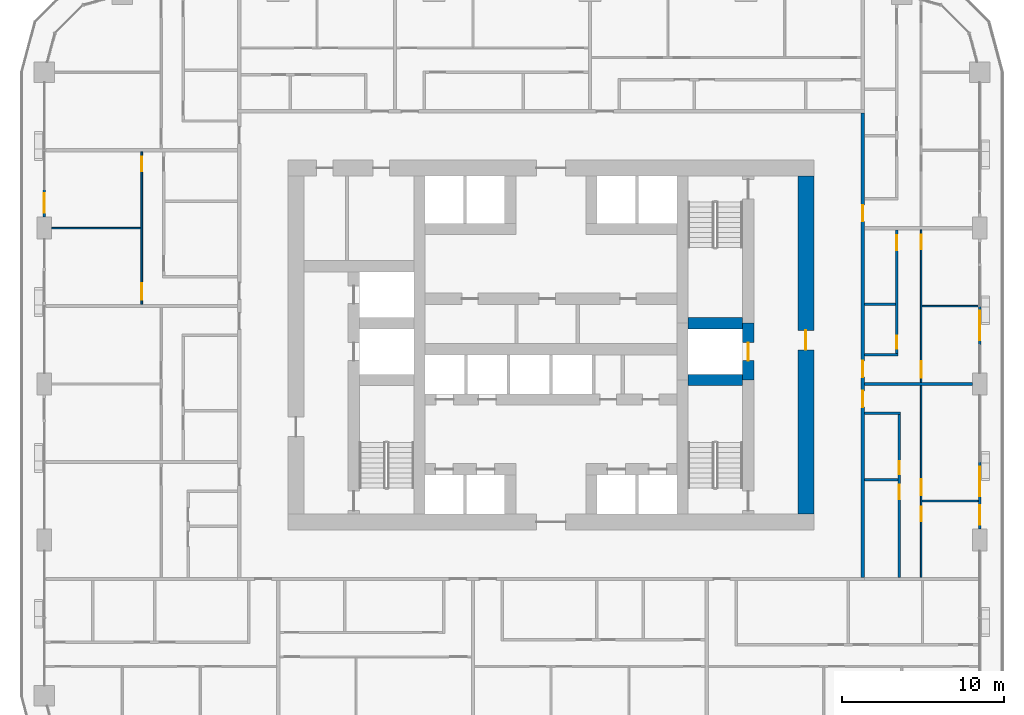
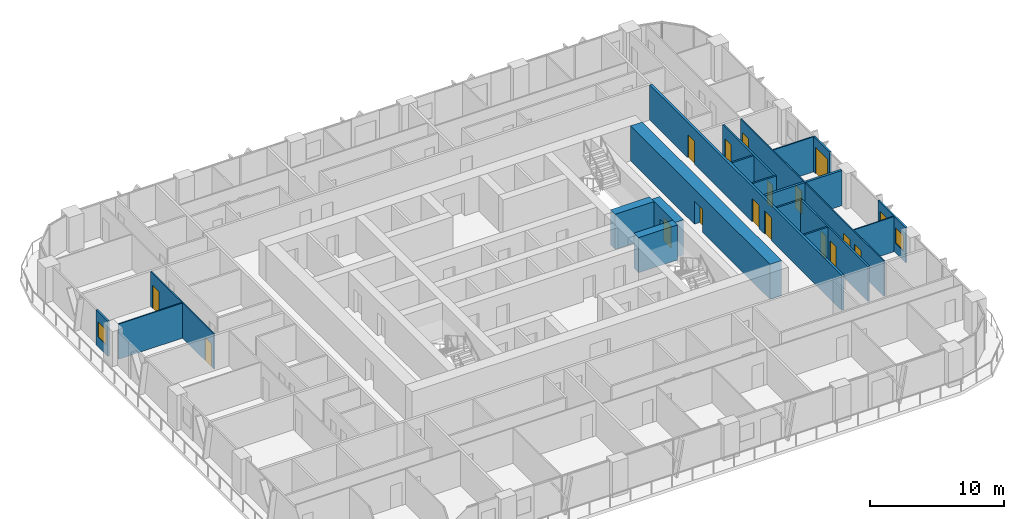
# One storey, part 12 of 21: 21 walls, 17 doors, 2 windows, 19 openings.
"""IFC4 building model written with IfcOpenShell, lengths in metres."""

from ifc_helpers import new_model, si_unit, direction, frame, frame_2d, origin, place, context, subcontext, project, spatial, rectangle, extrude, material, layer, layer_set, type_object, element, fill, save


model = new_model("IFC4")

# Units and contexts
model_context = context("Model", 3, precision=1e-05, world=origin(), true_north=direction((0.0, 1.0)))
body_context = subcontext(model_context, "Body", "Model", "MODEL_VIEW")
ifc_project = project(units=[si_unit("LENGTHUNIT", "METRE"), si_unit("AREAUNIT", "SQUARE_METRE"), si_unit("VOLUMEUNIT", "CUBIC_METRE"), si_unit("PLANEANGLEUNIT", "RADIAN"), si_unit("MASSUNIT", "GRAM", prefix="KILO")], contexts=[model_context])

# Site, building, storey
site_placement = place(None, origin())
site = spatial("IfcSite", under=ifc_project, at=site_placement, CompositionType="ELEMENT")
building_placement = place(site_placement, origin())
building = spatial("IfcBuilding", under=site, at=building_placement, Name="Madar Terraces", CompositionType="ELEMENT")
storey_placement = place(building_placement, frame((0.0, 0.0, 43.39990234375)))
storey = spatial("IfcBuildingStorey", under=building, at=storey_placement, Name="L10", CompositionType="ELEMENT", Elevation=43.39990234375)

# Wall, opening, door
ifc_material_1 = material(Name="Concrete C80/95", Category="concrete")
ifc_layer_1 = layer(ifc_material_1, 0.699951171875)
ifc_layer_set_1 = layer_set([ifc_layer_1], Name="Concrete C80/95 (CIW1 RC wall 700)")
wall_type_1 = type_object("IfcWallType", Name="CIW1 RC wall 700", PredefinedType="SHEAR", material=ifc_layer_set_1)
wall_1_placement = place(storey_placement, frame((43.35009765625, 24.25, 0.0), z_axis=(0.0, 0.0, 1.0), x_axis=(0.0, 1.0, 0.0)))
wall_1 = element("IfcWall", 1, at=wall_1_placement, inside=storey, type_object=wall_type_1, Name="CORE SHAFT WALL", PredefinedType="SHEAR", context=body_context, shape_type="SweptSolid", body=[
    extrude(rectangle(XDim=3.5, YDim=0.699951171875, at=frame_2d((1.75, 0.0))), origin(), (0.0, 0.0, 1.0), 3.2001953125),
])
opening_1_placement = place(wall_1_placement, frame((1.199951171875, 0.0, 0.0)))
opening_1 = element("IfcOpeningElement", 2, at=opening_1_placement, cuts=wall_1, Name="Opening LD", PredefinedType="OPENING", context=body_context, shape_type="SweptSolid", body=[
    extrude(rectangle(XDim=1.10009765625, YDim=2.10009765625, at=frame_2d((0.550048828125, 1.050048828125))), frame((0.0, 0.35986328125, 0.0), z_axis=(0.0, -1.0, 0.0), x_axis=(1.0, 0.0, 0.0)), (0.0, 0.0, 1.0), 0.719970703125),
])
ifc_material_2 = material(Name="Stainless steel panel", Category="steel")
door_type_1 = type_object("IfcDoorType", Name="Lift landing door 1100 x 2100", OperationType="DOUBLE_DOOR_SLIDING", PredefinedType="DOOR", material=ifc_material_2)
door_1_placement = place(opening_1_placement, origin())
door_1 = element("IfcDoor", 3, at=door_1_placement, inside=storey, type_object=door_type_1, Name="LIFT LANDING DOOR", OperationType="DOUBLE_DOOR_SLIDING", OverallHeight=2.10009765625, OverallWidth=1.10009765625, PredefinedType="DOOR", context=body_context, shape_type="SweptSolid", body=[
    extrude(rectangle(XDim=1.10009765625, YDim=2.10009765625, at=frame_2d((0.550048828125, 1.050048828125))), frame((0.0, 0.02490234375, 0.0), z_axis=(0.0, -1.0, 0.0), x_axis=(1.0, 0.0, 0.0)), (0.0, 0.0, 1.0), 0.050048828125),
])
fill(opening_1, door_1)

# Walls
for number, where, z_axis, x_axis, name in (
    (4, (39.64990234375, 24.25, 0.0), (0.0, 0.0, 1.0), (1.0, 0.0, 0.0), "CORE SHAFT WALL"),
    (5, (39.64990234375, 27.75, 0.0), (0.0, 0.0, 1.0), (1.0, 0.0, 0.0), "CORE SHAFT WALL"),
):
    element("IfcWall", number, at=place(storey_placement, frame(where, z_axis=z_axis, x_axis=x_axis)), inside=storey, type_object=wall_type_1, Name=name, PredefinedType="SHEAR", context=body_context, shape_type="SweptSolid", body=[
        extrude(rectangle(XDim=3.35009765625, YDim=0.699951171875, at=frame_2d((1.675048828125, 0.0))), origin(), (0.0, 0.0, 1.0), 3.2001953125),
    ])

# Wall, opening, door
ifc_material_3 = material(Name="Concrete C80/95", Category="concrete")
ifc_layer_2 = layer(ifc_material_3, 1.0)
ifc_layer_set_2 = layer_set([ifc_layer_2], Name="Concrete C80/95 (CRW1 RC wall 1000)")
wall_type_2 = type_object("IfcWallType", Name="CRW1 RC wall 1000", PredefinedType="SHEAR", material=ifc_layer_set_2)
wall_2_placement = place(storey_placement, frame((46.89990234375, 16.0, 0.0), z_axis=(0.0, 0.0, 1.0), x_axis=(0.0, 1.0, 0.0)))
wall_2 = element("IfcWall", 6, at=wall_2_placement, inside=storey, type_object=wall_type_2, Name="CORE OUTER WALL", PredefinedType="SHEAR", context=body_context, shape_type="SweptSolid", body=[
    extrude(rectangle(XDim=20.800048828125, YDim=1.0, at=frame_2d((10.39990234375, 0.0))), origin(), (0.0, 0.0, 1.0), 3.2001953125),
])
opening_2_placement = place(wall_2_placement, frame((10.10009765625, 0.0, 0.0)))
opening_2 = element("IfcOpeningElement", 7, at=opening_2_placement, cuts=wall_2, Name="Opening SD1", PredefinedType="OPENING", context=body_context, shape_type="SweptSolid", body=[
    extrude(rectangle(XDim=1.199951171875, YDim=2.10009765625, at=frame_2d((0.60009765625, 1.050048828125))), frame((0.0, 0.510009765625, 0.0), z_axis=(0.0, -1.0, 0.0), x_axis=(1.0, 0.0, 0.0)), (0.0, 0.0, 1.0), 1.02001953125),
])
ifc_material_4 = material(Name="Steel door leaf", Category="steel")
door_type_2 = type_object("IfcDoorType", Name="Stair door 1200 x 2100", OperationType="NOTDEFINED", PredefinedType="DOOR", material=ifc_material_4)
door_2_placement = place(opening_2_placement, origin())
door_2 = element("IfcDoor", 8, at=door_2_placement, inside=storey, type_object=door_type_2, Name="STAIR DOOR", OperationType="SINGLE_SWING_RIGHT", OverallHeight=2.10009765625, OverallWidth=1.199951171875, PredefinedType="DOOR", context=body_context, shape_type="SweptSolid", body=[
    extrude(rectangle(XDim=1.199951171875, YDim=2.10009765625, at=frame_2d((0.60009765625, 1.050048828125))), frame((0.0, 0.02490234375, 0.0), z_axis=(0.0, -1.0, 0.0), x_axis=(1.0, 0.0, 0.0)), (0.0, 0.0, 1.0), 0.050048828125),
])
fill(opening_2, door_2)

# Wall, openings, door, window
ifc_material_5 = material(Name="Aluminium composite panel, black, over insulated backing", Category="aluminium")
ifc_layer_3 = layer(ifc_material_5, 0.14990234375)
ifc_layer_set_3 = layer_set([ifc_layer_3], Name="Facade bay panel 150")
wall_type_3 = type_object("IfcWallType", Name="Facade bay panel 150", PredefinedType="SOLIDWALL", material=ifc_layer_set_3)
wall_3_placement = place(storey_placement, frame((57.60009765625, 15.074951171875, 0.0), z_axis=(0.0, 0.0, 1.0), x_axis=(0.0, 1.0, 0.0)))
wall_3 = element("IfcWall", 9, at=wall_3_placement, inside=storey, type_object=wall_type_3, Name="Facade bay panel", PredefinedType="SOLIDWALL", context=body_context, shape_type="SweptSolid", body=[
    extrude(rectangle(XDim=4.125, YDim=0.14990234375, at=frame_2d((2.0625, 0.0))), origin(), (0.0, 0.0, 1.0), 3.2001953125),
])
opening_3_placement = place(wall_3_placement, frame((0.262451171875, 0.0, 0.89990234375)))
opening_3 = element("IfcOpeningElement", 10, at=opening_3_placement, cuts=wall_3, Name="Opening W1", PredefinedType="OPENING", context=body_context, shape_type="SweptSolid", body=[
    extrude(rectangle(XDim=1.199951171875, YDim=1.39990234375, at=frame_2d((0.60009765625, 0.699951171875))), frame((0.0, 0.0849609375, 0.0), z_axis=(0.0, -1.0, 0.0), x_axis=(1.0, 0.0, 0.0)), (0.0, 0.0, 1.0), 0.169921875),
])
opening_4_placement = place(wall_3_placement, frame((2.02490234375, 0.0, 0.0)))
opening_4 = element("IfcOpeningElement", 11, at=opening_4_placement, cuts=wall_3, Name="Opening ED1", PredefinedType="OPENING", context=body_context, shape_type="SweptSolid", body=[
    extrude(rectangle(XDim=1.800048828125, YDim=2.39990234375, at=frame_2d((0.89990234375, 1.199951171875))), frame((0.0, 0.0849609375, 0.0), z_axis=(0.0, -1.0, 0.0), x_axis=(1.0, 0.0, 0.0)), (0.0, 0.0, 1.0), 0.169921875),
])
ifc_material_6 = material(Name="Glass, clear, with black aluminium frame", Category="aluminium")
door_type_3 = type_object("IfcDoorType", Name="Balcony and terrace sliding door 1800 x 2400", OperationType="SLIDING_TO_LEFT", PredefinedType="DOOR", material=ifc_material_6)
door_3_placement = place(opening_4_placement, origin())
door_3 = element("IfcDoor", 12, at=door_3_placement, inside=storey, type_object=door_type_3, Name="Balcony door", OperationType="SLIDING_TO_RIGHT", OverallHeight=2.39990234375, OverallWidth=1.800048828125, PredefinedType="DOOR", context=body_context, shape_type="SweptSolid", body=[
    extrude(rectangle(XDim=1.800048828125, YDim=2.39990234375, at=frame_2d((0.89990234375, 1.199951171875))), frame((0.0, 0.02490234375, 0.0), z_axis=(0.0, -1.0, 0.0), x_axis=(1.0, 0.0, 0.0)), (0.0, 0.0, 1.0), 0.050048828125),
])
fill(opening_4, door_3)
ifc_material_7 = material(Name="Glass, clear, with black aluminium frame", Category="aluminium")
window_type = type_object("IfcWindowType", Name="Vent window 1200 x 1400", PartitioningType="SINGLE_PANEL", PredefinedType="WINDOW", material=ifc_material_7)
window_1_placement = place(opening_3_placement, origin())
window_1 = element("IfcWindow", 13, at=window_1_placement, inside=storey, type_object=window_type, Name="Operable vent window", OverallHeight=1.39990234375, OverallWidth=1.199951171875, PartitioningType="SINGLE_PANEL", PredefinedType="WINDOW", context=body_context, shape_type="SweptSolid", body=[
    extrude(rectangle(XDim=1.199951171875, YDim=1.39990234375, at=frame_2d((0.60009765625, 0.699951171875))), frame((0.0, 0.030029296875, 0.0), z_axis=(0.0, -1.0, 0.0), x_axis=(1.0, 0.0, 0.0)), (0.0, 0.0, 1.0), 0.06005859375),
])
fill(opening_3, window_1)

# Wall, opening, door
wall_4_placement = place(storey_placement, frame((57.60009765625, 26.39990234375, 0.0), z_axis=(0.0, 0.0, 1.0), x_axis=(0.0, 1.0, 0.0)))
wall_4 = element("IfcWall", 14, at=wall_4_placement, inside=storey, type_object=wall_type_3, Name="Facade bay panel", PredefinedType="SOLIDWALL", context=body_context, shape_type="SweptSolid", body=[
    extrude(rectangle(XDim=2.400146484375, YDim=0.14990234375, at=frame_2d((1.2001953125, 0.0))), origin(), (0.0, 0.0, 1.0), 3.2001953125),
])
opening_5_placement = place(wall_4_placement, frame((0.300048828125, 0.0, 0.0)))
opening_5 = element("IfcOpeningElement", 15, at=opening_5_placement, cuts=wall_4, Name="Opening ED1", PredefinedType="OPENING", context=body_context, shape_type="SweptSolid", body=[
    extrude(rectangle(XDim=1.800048828125, YDim=2.39990234375, at=frame_2d((0.89990234375, 1.199951171875))), frame((0.0, 0.0849609375, 0.0), z_axis=(0.0, -1.0, 0.0), x_axis=(1.0, 0.0, 0.0)), (0.0, 0.0, 1.0), 0.169921875),
])
door_4_placement = place(opening_5_placement, origin())
door_4 = element("IfcDoor", 16, at=door_4_placement, inside=storey, type_object=door_type_3, Name="Balcony door", OperationType="SLIDING_TO_LEFT", OverallHeight=2.39990234375, OverallWidth=1.800048828125, PredefinedType="DOOR", context=body_context, shape_type="SweptSolid", body=[
    extrude(rectangle(XDim=1.800048828125, YDim=2.39990234375, at=frame_2d((0.89990234375, 1.199951171875))), frame((0.0, 0.02490234375, 0.0), z_axis=(0.0, -1.0, 0.0), x_axis=(1.0, 0.0, 0.0)), (0.0, 0.0, 1.0), 0.050048828125),
])
fill(opening_5, door_4)

# Wall, opening, window
wall_5_placement = place(storey_placement, frame((0.0, 36.0, 0.0), z_axis=(0.0, 0.0, 1.0), x_axis=(0.0, -1.0, 0.0)))
wall_5 = element("IfcWall", 17, at=wall_5_placement, inside=storey, type_object=wall_type_3, Name="Facade bay panel", PredefinedType="SOLIDWALL", context=body_context, shape_type="SweptSolid", body=[
    extrude(rectangle(XDim=1.72509765625, YDim=0.14990234375, at=frame_2d((0.862548828125, 0.0))), origin(), (0.0, 0.0, 1.0), 3.2001953125),
])
opening_6_placement = place(wall_5_placement, frame((0.262451171875, 0.0, 0.89990234375)))
opening_6 = element("IfcOpeningElement", 18, at=opening_6_placement, cuts=wall_5, Name="Opening W1", PredefinedType="OPENING", context=body_context, shape_type="SweptSolid", body=[
    extrude(rectangle(XDim=1.199951171875, YDim=1.39990234375, at=frame_2d((0.60009765625, 0.699951171875))), frame((0.0, 0.0849609375, 0.0), z_axis=(0.0, -1.0, 0.0), x_axis=(1.0, 0.0, 0.0)), (0.0, 0.0, 1.0), 0.169921875),
])
window_2_placement = place(opening_6_placement, origin())
window_2 = element("IfcWindow", 19, at=window_2_placement, inside=storey, type_object=window_type, Name="Operable vent window", OverallHeight=1.39990234375, OverallWidth=1.199951171875, PartitioningType="SINGLE_PANEL", PredefinedType="WINDOW", context=body_context, shape_type="SweptSolid", body=[
    extrude(rectangle(XDim=1.199951171875, YDim=1.39990234375, at=frame_2d((0.60009765625, 0.699951171875))), frame((0.0, 0.030029296875, 0.0), z_axis=(0.0, -1.0, 0.0), x_axis=(1.0, 0.0, 0.0)), (0.0, 0.0, 1.0), 0.06005859375),
])
fill(opening_6, window_2)

# Wall
ifc_material_8 = material(Name="Gypsum board on steel studs", Category="steel")
ifc_layer_4 = layer(ifc_material_8, 0.10009765625)
ifc_layer_set_4 = layer_set([ifc_layer_4], Name="Flat partition 100")
wall_type_4 = type_object("IfcWallType", Name="Flat partition 100", PredefinedType="PARTITIONING", material=ifc_layer_set_4)
wall_6_placement = place(storey_placement, frame((54.050048828125, 16.800048828125, 0.0), z_axis=(0.0, 0.0, 1.0), x_axis=(1.0, 0.0, 0.0)))
element("IfcWall", 20, at=wall_6_placement, inside=storey, type_object=wall_type_4, Name="Flat partition 100", PredefinedType="PARTITIONING", context=body_context, shape_type="SweptSolid", body=[
    extrude(rectangle(XDim=3.449951171875, YDim=0.10009765625, at=frame_2d((1.72509765625, 0.0))), origin(), (0.0, 0.0, 1.0), 3.2001953125),
])

# Wall, openings, doors
wall_7_placement = place(storey_placement, frame((54.0, 23.89990234375, 0.0), z_axis=(0.0, 0.0, 1.0), x_axis=(0.0, -1.0, 0.0)))
wall_7 = element("IfcWall", 21, at=wall_7_placement, inside=storey, type_object=wall_type_4, Name="Flat partition 100", PredefinedType="PARTITIONING", context=body_context, shape_type="SweptSolid", body=[
    extrude(rectangle(XDim=11.7998046875, YDim=0.10009765625, at=frame_2d((5.89990234375, 0.0))), origin(), (0.0, 0.0, 1.0), 3.2001953125),
])
opening_7_placement = place(wall_7_placement, frame((5.75, 0.0, 0.0)))
opening_7 = element("IfcOpeningElement", 22, at=opening_7_placement, cuts=wall_7, Name="Opening D3", PredefinedType="OPENING", context=body_context, shape_type="SweptSolid", body=[
    extrude(rectangle(XDim=1.0, YDim=2.10009765625, at=frame_2d((0.5, 1.050048828125))), frame((0.0, 0.06005859375, 0.0), z_axis=(0.0, -1.0, 0.0), x_axis=(1.0, 0.0, 0.0)), (0.0, 0.0, 1.0), 0.1201171875),
])
opening_8_placement = place(wall_7_placement, frame((7.449951171875, 0.0, 0.0)))
opening_8 = element("IfcOpeningElement", 23, at=opening_8_placement, cuts=wall_7, Name="Opening D2", PredefinedType="OPENING", context=body_context, shape_type="SweptSolid", body=[
    extrude(rectangle(XDim=0.89990234375, YDim=2.10009765625, at=frame_2d((0.449951171875, 1.050048828125))), frame((0.0, 0.06005859375, 0.0), z_axis=(0.0, -1.0, 0.0), x_axis=(1.0, 0.0, 0.0)), (0.0, 0.0, 1.0), 0.1201171875),
])
ifc_material_9 = material(Name="Timber door leaf", Category="wood")
door_type_4 = type_object("IfcDoorType", Name="Flat living room door 1000", OperationType="NOTDEFINED", PredefinedType="DOOR", material=ifc_material_9)
door_5_placement = place(opening_7_placement, origin())
door_5 = element("IfcDoor", 24, at=door_5_placement, inside=storey, type_object=door_type_4, Name="Flat living room door 1000", OperationType="SINGLE_SWING_RIGHT", OverallHeight=2.10009765625, OverallWidth=1.0, PredefinedType="DOOR", context=body_context, shape_type="SweptSolid", body=[
    extrude(rectangle(XDim=1.0, YDim=2.10009765625, at=frame_2d((0.5, 1.050048828125))), frame((0.0, 0.02490234375, 0.0), z_axis=(0.0, -1.0, 0.0), x_axis=(1.0, 0.0, 0.0)), (0.0, 0.0, 1.0), 0.050048828125),
])
fill(opening_7, door_5)
ifc_material_10 = material(Name="Timber door leaf", Category="wood")
door_type_5 = type_object("IfcDoorType", Name="Flat room door 900", OperationType="NOTDEFINED", PredefinedType="DOOR", material=ifc_material_10)
door_6_placement = place(opening_8_placement, origin())
door_6 = element("IfcDoor", 25, at=door_6_placement, inside=storey, type_object=door_type_5, Name="Flat room door 900", OperationType="SINGLE_SWING_LEFT", OverallHeight=2.10009765625, OverallWidth=0.89990234375, PredefinedType="DOOR", context=body_context, shape_type="SweptSolid", body=[
    extrude(rectangle(XDim=0.89990234375, YDim=2.10009765625, at=frame_2d((0.449951171875, 1.050048828125))), frame((0.0, 0.02490234375, 0.0), z_axis=(0.0, -1.0, 0.0), x_axis=(1.0, 0.0, 0.0)), (0.0, 0.0, 1.0), 0.050048828125),
])
fill(opening_8, door_6)

# Wall
wall_8_placement = place(storey_placement, frame((54.050048828125, 28.800048828125, 0.0), z_axis=(0.0, 0.0, 1.0), x_axis=(1.0, 0.0, 0.0)))
element("IfcWall", 26, at=wall_8_placement, inside=storey, type_object=wall_type_4, Name="Flat partition 100", PredefinedType="PARTITIONING", context=body_context, shape_type="SweptSolid", body=[
    extrude(rectangle(XDim=3.449951171875, YDim=0.10009765625, at=frame_2d((1.72509765625, 0.0))), origin(), (0.0, 0.0, 1.0), 3.2001953125),
])

# Wall, openings, doors
wall_9_placement = place(storey_placement, frame((54.0, 33.5, 0.0), z_axis=(0.0, 0.0, 1.0), x_axis=(0.0, -1.0, 0.0)))
wall_9 = element("IfcWall", 27, at=wall_9_placement, inside=storey, type_object=wall_type_4, Name="Flat partition 100", PredefinedType="PARTITIONING", context=body_context, shape_type="SweptSolid", body=[
    extrude(rectangle(XDim=9.39990234375, YDim=0.10009765625, at=frame_2d((4.699951171875, 0.0))), origin(), (0.0, 0.0, 1.0), 3.2001953125),
])
opening_9_placement = place(wall_9_placement, frame((8.10009765625, 0.0, 0.0)))
opening_9 = element("IfcOpeningElement", 28, at=opening_9_placement, cuts=wall_9, Name="Opening D3", PredefinedType="OPENING", context=body_context, shape_type="SweptSolid", body=[
    extrude(rectangle(XDim=1.0, YDim=2.10009765625, at=frame_2d((0.5, 1.050048828125))), frame((0.0, 0.06005859375, 0.0), z_axis=(0.0, -1.0, 0.0), x_axis=(1.0, 0.0, 0.0)), (0.0, 0.0, 1.0), 0.1201171875),
])
opening_10_placement = place(wall_9_placement, frame((0.300048828125, 0.0, 0.0)))
opening_10 = element("IfcOpeningElement", 29, at=opening_10_placement, cuts=wall_9, Name="Opening D2", PredefinedType="OPENING", context=body_context, shape_type="SweptSolid", body=[
    extrude(rectangle(XDim=0.89990234375, YDim=2.10009765625, at=frame_2d((0.449951171875, 1.050048828125))), frame((0.0, 0.06005859375, 0.0), z_axis=(0.0, -1.0, 0.0), x_axis=(1.0, 0.0, 0.0)), (0.0, 0.0, 1.0), 0.1201171875),
])
door_7_placement = place(opening_9_placement, origin())
door_7 = element("IfcDoor", 30, at=door_7_placement, inside=storey, type_object=door_type_4, Name="Flat living room door 1000", OperationType="SINGLE_SWING_RIGHT", OverallHeight=2.10009765625, OverallWidth=1.0, PredefinedType="DOOR", context=body_context, shape_type="SweptSolid", body=[
    extrude(rectangle(XDim=1.0, YDim=2.10009765625, at=frame_2d((0.5, 1.050048828125))), frame((0.0, 0.02490234375, 0.0), z_axis=(0.0, -1.0, 0.0), x_axis=(1.0, 0.0, 0.0)), (0.0, 0.0, 1.0), 0.050048828125),
])
fill(opening_9, door_7)
door_8_placement = place(opening_10_placement, origin())
door_8 = element("IfcDoor", 31, at=door_8_placement, inside=storey, type_object=door_type_5, Name="Flat room door 900", OperationType="SINGLE_SWING_LEFT", OverallHeight=2.10009765625, OverallWidth=0.89990234375, PredefinedType="DOOR", context=body_context, shape_type="SweptSolid", body=[
    extrude(rectangle(XDim=0.89990234375, YDim=2.10009765625, at=frame_2d((0.449951171875, 1.050048828125))), frame((0.0, 0.02490234375, 0.0), z_axis=(0.0, -1.0, 0.0), x_axis=(1.0, 0.0, 0.0)), (0.0, 0.0, 1.0), 0.050048828125),
])
fill(opening_10, door_8)

# Wall
wall_10_placement = place(storey_placement, frame((5.949951171875, 33.60009765625, 0.0), z_axis=(0.0, 0.0, 1.0), x_axis=(-1.0, 0.0, 0.0)))
element("IfcWall", 32, at=wall_10_placement, inside=storey, type_object=wall_type_4, Name="Flat partition 100", PredefinedType="PARTITIONING", context=body_context, shape_type="SweptSolid", body=[
    extrude(rectangle(XDim=5.5, YDim=0.10009765625, at=frame_2d((2.75, 0.0))), origin(), (0.0, 0.0, 1.0), 3.2001953125),
])

# Wall, openings, doors
wall_11_placement = place(storey_placement, frame((6.0, 28.89990234375, 0.0), z_axis=(0.0, 0.0, 1.0), x_axis=(0.0, 1.0, 0.0)))
wall_11 = element("IfcWall", 33, at=wall_11_placement, inside=storey, type_object=wall_type_4, Name="Flat partition 100", PredefinedType="PARTITIONING", context=body_context, shape_type="SweptSolid", body=[
    extrude(rectangle(XDim=9.400146484375, YDim=0.10009765625, at=frame_2d((4.7001953125, 0.0))), origin(), (0.0, 0.0, 1.0), 3.2001953125),
])
opening_11_placement = place(wall_11_placement, frame((0.300048828125, 0.0, 0.0)))
opening_11 = element("IfcOpeningElement", 34, at=opening_11_placement, cuts=wall_11, Name="Opening D3", PredefinedType="OPENING", context=body_context, shape_type="SweptSolid", body=[
    extrude(rectangle(XDim=1.0, YDim=2.10009765625, at=frame_2d((0.5, 1.050048828125))), frame((0.0, 0.06005859375, 0.0), z_axis=(0.0, -1.0, 0.0), x_axis=(1.0, 0.0, 0.0)), (0.0, 0.0, 1.0), 0.1201171875),
])
opening_12_placement = place(wall_11_placement, frame((8.199951171875, 0.0, 0.0)))
opening_12 = element("IfcOpeningElement", 35, at=opening_12_placement, cuts=wall_11, Name="Opening D2", PredefinedType="OPENING", context=body_context, shape_type="SweptSolid", body=[
    extrude(rectangle(XDim=0.89990234375, YDim=2.10009765625, at=frame_2d((0.449951171875, 1.050048828125))), frame((0.0, 0.06005859375, 0.0), z_axis=(0.0, -1.0, 0.0), x_axis=(1.0, 0.0, 0.0)), (0.0, 0.0, 1.0), 0.1201171875),
])
door_9_placement = place(opening_11_placement, origin())
door_9 = element("IfcDoor", 36, at=door_9_placement, inside=storey, type_object=door_type_4, Name="Flat living room door 1000", OperationType="SINGLE_SWING_LEFT", OverallHeight=2.10009765625, OverallWidth=1.0, PredefinedType="DOOR", context=body_context, shape_type="SweptSolid", body=[
    extrude(rectangle(XDim=1.0, YDim=2.10009765625, at=frame_2d((0.5, 1.050048828125))), frame((0.0, 0.02490234375, 0.0), z_axis=(0.0, -1.0, 0.0), x_axis=(1.0, 0.0, 0.0)), (0.0, 0.0, 1.0), 0.050048828125),
])
fill(opening_11, door_9)
door_10_placement = place(opening_12_placement, origin())
door_10 = element("IfcDoor", 37, at=door_10_placement, inside=storey, type_object=door_type_5, Name="Flat room door 900", OperationType="SINGLE_SWING_RIGHT", OverallHeight=2.10009765625, OverallWidth=0.89990234375, PredefinedType="DOOR", context=body_context, shape_type="SweptSolid", body=[
    extrude(rectangle(XDim=0.89990234375, YDim=2.10009765625, at=frame_2d((0.449951171875, 1.050048828125))), frame((0.0, 0.02490234375, 0.0), z_axis=(0.0, -1.0, 0.0), x_axis=(1.0, 0.0, 0.0)), (0.0, 0.0, 1.0), 0.050048828125),
])
fill(opening_12, door_10)

ifc_material_11 = material(Name="Lightweight blockwork", Category="masonry")
ifc_layer_5 = layer(ifc_material_11, 0.199951171875)
ifc_layer_set_5 = layer_set([ifc_layer_5], Name="Flat party and entrance wall 200")
wall_type_5 = type_object("IfcWallType", Name="Flat party and entrance wall 200", PredefinedType="PARTITIONING", material=ifc_layer_set_5)
wall_12_placement = place(storey_placement, frame((50.39990234375, 40.699951171875, 0.0), z_axis=(0.0, 0.0, 1.0), x_axis=(0.0, -1.0, 0.0)))
wall_12 = element("IfcWall", 38, at=wall_12_placement, inside=storey, type_object=wall_type_5, Name="Flat party and entrance wall 200", PredefinedType="PARTITIONING", context=body_context, shape_type="SweptSolid", body=[
    extrude(rectangle(XDim=28.599853515625, YDim=0.199951171875, at=frame_2d((14.2998046875, 0.0))), origin(), (0.0, 0.0, 1.0), 3.2001953125),
])
opening_13_placement = place(wall_12_placement, frame((17.125, 0.0, 0.0)))
opening_13 = element("IfcOpeningElement", 39, at=opening_13_placement, cuts=wall_12, Name="Opening D1", PredefinedType="OPENING", context=body_context, shape_type="SweptSolid", body=[
    extrude(rectangle(XDim=1.0, YDim=2.10009765625, at=frame_2d((0.5, 1.050048828125))), frame((0.0, 0.10986328125, 0.0), z_axis=(0.0, -1.0, 0.0), x_axis=(1.0, 0.0, 0.0)), (0.0, 0.0, 1.0), 0.219970703125),
])
opening_14_placement = place(wall_12_placement, frame((15.27490234375, 0.0, 0.0)))
opening_14 = element("IfcOpeningElement", 40, at=opening_14_placement, cuts=wall_12, Name="Opening D1", PredefinedType="OPENING", context=body_context, shape_type="SweptSolid", body=[
    extrude(rectangle(XDim=1.0, YDim=2.10009765625, at=frame_2d((0.5, 1.050048828125))), frame((0.0, 0.10986328125, 0.0), z_axis=(0.0, -1.0, 0.0), x_axis=(1.0, 0.0, 0.0)), (0.0, 0.0, 1.0), 0.219970703125),
])
opening_15_placement = place(wall_12_placement, frame((5.675048828125, 0.0, 0.0)))
opening_15 = element("IfcOpeningElement", 41, at=opening_15_placement, cuts=wall_12, Name="Opening D1", PredefinedType="OPENING", context=body_context, shape_type="SweptSolid", body=[
    extrude(rectangle(XDim=1.0, YDim=2.10009765625, at=frame_2d((0.5, 1.050048828125))), frame((0.0, 0.10986328125, 0.0), z_axis=(0.0, -1.0, 0.0), x_axis=(1.0, 0.0, 0.0)), (0.0, 0.0, 1.0), 0.219970703125),
])
ifc_material_12 = material(Name="Timber fire door leaf", Category="wood")
door_type_6 = type_object("IfcDoorType", Name="Flat entrance door 1000 FD30S", OperationType="NOTDEFINED", PredefinedType="DOOR", material=ifc_material_12)
door_11_placement = place(opening_13_placement, origin())
door_11 = element("IfcDoor", 42, at=door_11_placement, inside=storey, type_object=door_type_6, Name="Flat entrance door 1000 FD30S", OperationType="SINGLE_SWING_LEFT", OverallHeight=2.10009765625, OverallWidth=1.0, PredefinedType="DOOR", context=body_context, shape_type="SweptSolid", body=[
    extrude(rectangle(XDim=1.0, YDim=2.10009765625, at=frame_2d((0.5, 1.050048828125))), frame((0.0, 0.02490234375, 0.0), z_axis=(0.0, -1.0, 0.0), x_axis=(1.0, 0.0, 0.0)), (0.0, 0.0, 1.0), 0.050048828125),
])
fill(opening_13, door_11)
door_12_placement = place(opening_14_placement, origin())
door_12 = element("IfcDoor", 43, at=door_12_placement, inside=storey, type_object=door_type_6, Name="Flat entrance door 1000 FD30S", OperationType="SINGLE_SWING_RIGHT", OverallHeight=2.10009765625, OverallWidth=1.0, PredefinedType="DOOR", context=body_context, shape_type="SweptSolid", body=[
    extrude(rectangle(XDim=1.0, YDim=2.10009765625, at=frame_2d((0.5, 1.050048828125))), frame((0.0, 0.02490234375, 0.0), z_axis=(0.0, -1.0, 0.0), x_axis=(1.0, 0.0, 0.0)), (0.0, 0.0, 1.0), 0.050048828125),
])
fill(opening_14, door_12)
door_13_placement = place(opening_15_placement, origin())
door_13 = element("IfcDoor", 44, at=door_13_placement, inside=storey, type_object=door_type_6, Name="Flat entrance door 1000 FD30S", OperationType="SINGLE_SWING_RIGHT", OverallHeight=2.10009765625, OverallWidth=1.0, PredefinedType="DOOR", context=body_context, shape_type="SweptSolid", body=[
    extrude(rectangle(XDim=1.0, YDim=2.10009765625, at=frame_2d((0.5, 1.050048828125))), frame((0.0, 0.02490234375, 0.0), z_axis=(0.0, -1.0, 0.0), x_axis=(1.0, 0.0, 0.0)), (0.0, 0.0, 1.0), 0.050048828125),
])
fill(opening_15, door_13)

# Walls
wall_13_placement = place(storey_placement, frame((50.5, 24.0, 0.0), z_axis=(0.0, 0.0, 1.0), x_axis=(1.0, 0.0, 0.0)))
element("IfcWall", 45, at=wall_13_placement, inside=storey, type_object=wall_type_5, Name="Flat party and entrance wall 200", PredefinedType="PARTITIONING", context=body_context, shape_type="SweptSolid", body=[
    extrude(rectangle(XDim=6.64990234375, YDim=0.199951171875, at=frame_2d((3.324951171875, 0.0))), origin(), (0.0, 0.0, 1.0), 3.2001953125),
])
ifc_material_13 = material(Name="Lightweight blockwork", Category="masonry")
ifc_layer_6 = layer(ifc_material_13, 0.14990234375)
ifc_layer_set_6 = layer_set([ifc_layer_6], Name="Flat wet-room partition 150")
wall_type_6 = type_object("IfcWallType", Name="Flat wet-room partition 150", PredefinedType="PARTITIONING", material=ifc_layer_set_6)
wall_14_placement = place(storey_placement, frame((50.5, 18.114990234375, 0.0), z_axis=(0.0, 0.0, 1.0), x_axis=(1.0, 0.0, 0.0)))
element("IfcWall", 46, at=wall_14_placement, inside=storey, type_object=wall_type_6, Name="Flat wet-room partition 150", PredefinedType="PARTITIONING", context=body_context, shape_type="SweptSolid", body=[
    extrude(rectangle(XDim=2.074951171875, YDim=0.14990234375, at=frame_2d((1.03759765625, 0.0))), origin(), (0.0, 0.0, 1.0), 3.2001953125),
])
wall_15_placement = place(storey_placement, frame((50.5, 22.199951171875, 0.0), z_axis=(0.0, 0.0, 1.0), x_axis=(1.0, 0.0, 0.0)))
element("IfcWall", 47, at=wall_15_placement, inside=storey, type_object=wall_type_6, Name="Flat wet-room partition 150", PredefinedType="PARTITIONING", context=body_context, shape_type="SweptSolid", body=[
    extrude(rectangle(XDim=2.22509765625, YDim=0.14990234375, at=frame_2d((1.112548828125, 0.0))), origin(), (0.0, 0.0, 1.0), 3.2001953125),
])

# Wall, openings, doors
wall_16_placement = place(storey_placement, frame((52.64990234375, 12.10009765625, 0.0), z_axis=(0.0, 0.0, 1.0), x_axis=(0.0, 1.0, 0.0)))
wall_16 = element("IfcWall", 48, at=wall_16_placement, inside=storey, type_object=wall_type_6, Name="Flat wet-room partition 150", PredefinedType="PARTITIONING", context=body_context, shape_type="SweptSolid", body=[
    extrude(rectangle(XDim=10.02490234375, YDim=0.14990234375, at=frame_2d((5.012451171875, 0.0))), origin(), (0.0, 0.0, 1.0), 3.2001953125),
])
opening_16_placement = place(wall_16_placement, frame((6.340087890625, 0.0, 0.0)))
opening_16 = element("IfcOpeningElement", 49, at=opening_16_placement, cuts=wall_16, Name="Opening D4", PredefinedType="OPENING", context=body_context, shape_type="SweptSolid", body=[
    extrude(rectangle(XDim=0.800048828125, YDim=2.10009765625, at=frame_2d((0.39990234375, 1.050048828125))), frame((0.0, 0.0849609375, 0.0), z_axis=(0.0, -1.0, 0.0), x_axis=(1.0, 0.0, 0.0)), (0.0, 0.0, 1.0), 0.169921875),
])
opening_17_placement = place(wall_16_placement, frame((4.7900390625, 0.0, 0.0)))
opening_17 = element("IfcOpeningElement", 50, at=opening_17_placement, cuts=wall_16, Name="Opening D2", PredefinedType="OPENING", context=body_context, shape_type="SweptSolid", body=[
    extrude(rectangle(XDim=0.89990234375, YDim=2.10009765625, at=frame_2d((0.449951171875, 1.050048828125))), frame((0.0, 0.0849609375, 0.0), z_axis=(0.0, -1.0, 0.0), x_axis=(1.0, 0.0, 0.0)), (0.0, 0.0, 1.0), 0.169921875),
])
ifc_material_14 = material(Name="Timber door leaf", Category="wood")
door_type_7 = type_object("IfcDoorType", Name="Flat bathroom door 800", OperationType="NOTDEFINED", PredefinedType="DOOR", material=ifc_material_14)
door_14_placement = place(opening_16_placement, origin())
door_14 = element("IfcDoor", 51, at=door_14_placement, inside=storey, type_object=door_type_7, Name="Flat bathroom door 800", OperationType="SINGLE_SWING_LEFT", OverallHeight=2.10009765625, OverallWidth=0.800048828125, PredefinedType="DOOR", context=body_context, shape_type="SweptSolid", body=[
    extrude(rectangle(XDim=0.800048828125, YDim=2.10009765625, at=frame_2d((0.39990234375, 1.050048828125))), frame((0.0, 0.02490234375, 0.0), z_axis=(0.0, -1.0, 0.0), x_axis=(1.0, 0.0, 0.0)), (0.0, 0.0, 1.0), 0.050048828125),
])
fill(opening_16, door_14)
door_15_placement = place(opening_17_placement, origin())
door_15 = element("IfcDoor", 52, at=door_15_placement, inside=storey, type_object=door_type_5, Name="Flat room door 900", OperationType="SINGLE_SWING_RIGHT", OverallHeight=2.10009765625, OverallWidth=0.89990234375, PredefinedType="DOOR", context=body_context, shape_type="SweptSolid", body=[
    extrude(rectangle(XDim=0.89990234375, YDim=2.10009765625, at=frame_2d((0.449951171875, 1.050048828125))), frame((0.0, 0.02490234375, 0.0), z_axis=(0.0, -1.0, 0.0), x_axis=(1.0, 0.0, 0.0)), (0.0, 0.0, 1.0), 0.050048828125),
])
fill(opening_17, door_15)

# Walls
wall_17_placement = place(storey_placement, frame((50.5, 28.925048828125, 0.0), z_axis=(0.0, 0.0, 1.0), x_axis=(1.0, 0.0, 0.0)))
element("IfcWall", 53, at=wall_17_placement, inside=storey, type_object=wall_type_6, Name="Flat wet-room partition 150", PredefinedType="PARTITIONING", context=body_context, shape_type="SweptSolid", body=[
    extrude(rectangle(XDim=1.925048828125, YDim=0.14990234375, at=frame_2d((0.96240234375, 0.0))), origin(), (0.0, 0.0, 1.0), 3.2001953125),
])
wall_18_placement = place(storey_placement, frame((50.5, 25.800048828125, 0.0), z_axis=(0.0, 0.0, 1.0), x_axis=(1.0, 0.0, 0.0)))
element("IfcWall", 54, at=wall_18_placement, inside=storey, type_object=wall_type_6, Name="Flat wet-room partition 150", PredefinedType="PARTITIONING", context=body_context, shape_type="SweptSolid", body=[
    extrude(rectangle(XDim=2.074951171875, YDim=0.14990234375, at=frame_2d((1.03759765625, 0.0))), origin(), (0.0, 0.0, 1.0), 3.2001953125),
])

# Wall, openings, doors
wall_19_placement = place(storey_placement, frame((52.5, 25.875, 0.0), z_axis=(0.0, 0.0, 1.0), x_axis=(0.0, 1.0, 0.0)))
wall_19 = element("IfcWall", 55, at=wall_19_placement, inside=storey, type_object=wall_type_6, Name="Flat wet-room partition 150", PredefinedType="PARTITIONING", context=body_context, shape_type="SweptSolid", body=[
    extrude(rectangle(XDim=7.625, YDim=0.14990234375, at=frame_2d((3.8125, 0.0))), origin(), (0.0, 0.0, 1.0), 3.2001953125),
])
opening_18_placement = place(wall_19_placement, frame((0.300048828125, 0.0, 0.0)))
opening_18 = element("IfcOpeningElement", 56, at=opening_18_placement, cuts=wall_19, Name="Opening D4", PredefinedType="OPENING", context=body_context, shape_type="SweptSolid", body=[
    extrude(rectangle(XDim=0.800048828125, YDim=2.10009765625, at=frame_2d((0.39990234375, 1.050048828125))), frame((0.0, 0.0849609375, 0.0), z_axis=(0.0, -1.0, 0.0), x_axis=(1.0, 0.0, 0.0)), (0.0, 0.0, 1.0), 0.169921875),
])
opening_19_placement = place(wall_19_placement, frame((6.375, 0.0, 0.0)))
opening_19 = element("IfcOpeningElement", 57, at=opening_19_placement, cuts=wall_19, Name="Opening D2", PredefinedType="OPENING", context=body_context, shape_type="SweptSolid", body=[
    extrude(rectangle(XDim=0.89990234375, YDim=2.10009765625, at=frame_2d((0.449951171875, 1.050048828125))), frame((0.0, 0.0849609375, 0.0), z_axis=(0.0, -1.0, 0.0), x_axis=(1.0, 0.0, 0.0)), (0.0, 0.0, 1.0), 0.169921875),
])
door_16_placement = place(opening_18_placement, origin())
door_16 = element("IfcDoor", 58, at=door_16_placement, inside=storey, type_object=door_type_7, Name="Flat bathroom door 800", OperationType="SINGLE_SWING_LEFT", OverallHeight=2.10009765625, OverallWidth=0.800048828125, PredefinedType="DOOR", context=body_context, shape_type="SweptSolid", body=[
    extrude(rectangle(XDim=0.800048828125, YDim=2.10009765625, at=frame_2d((0.39990234375, 1.050048828125))), frame((0.0, 0.02490234375, 0.0), z_axis=(0.0, -1.0, 0.0), x_axis=(1.0, 0.0, 0.0)), (0.0, 0.0, 1.0), 0.050048828125),
])
fill(opening_18, door_16)
door_17_placement = place(opening_19_placement, origin())
door_17 = element("IfcDoor", 59, at=door_17_placement, inside=storey, type_object=door_type_5, Name="Flat room door 900", OperationType="SINGLE_SWING_RIGHT", OverallHeight=2.10009765625, OverallWidth=0.89990234375, PredefinedType="DOOR", context=body_context, shape_type="SweptSolid", body=[
    extrude(rectangle(XDim=0.89990234375, YDim=2.10009765625, at=frame_2d((0.449951171875, 1.050048828125))), frame((0.0, 0.02490234375, 0.0), z_axis=(0.0, -1.0, 0.0), x_axis=(1.0, 0.0, 0.0)), (0.0, 0.0, 1.0), 0.050048828125),
])
fill(opening_19, door_17)

save(model, "model.ifc")
